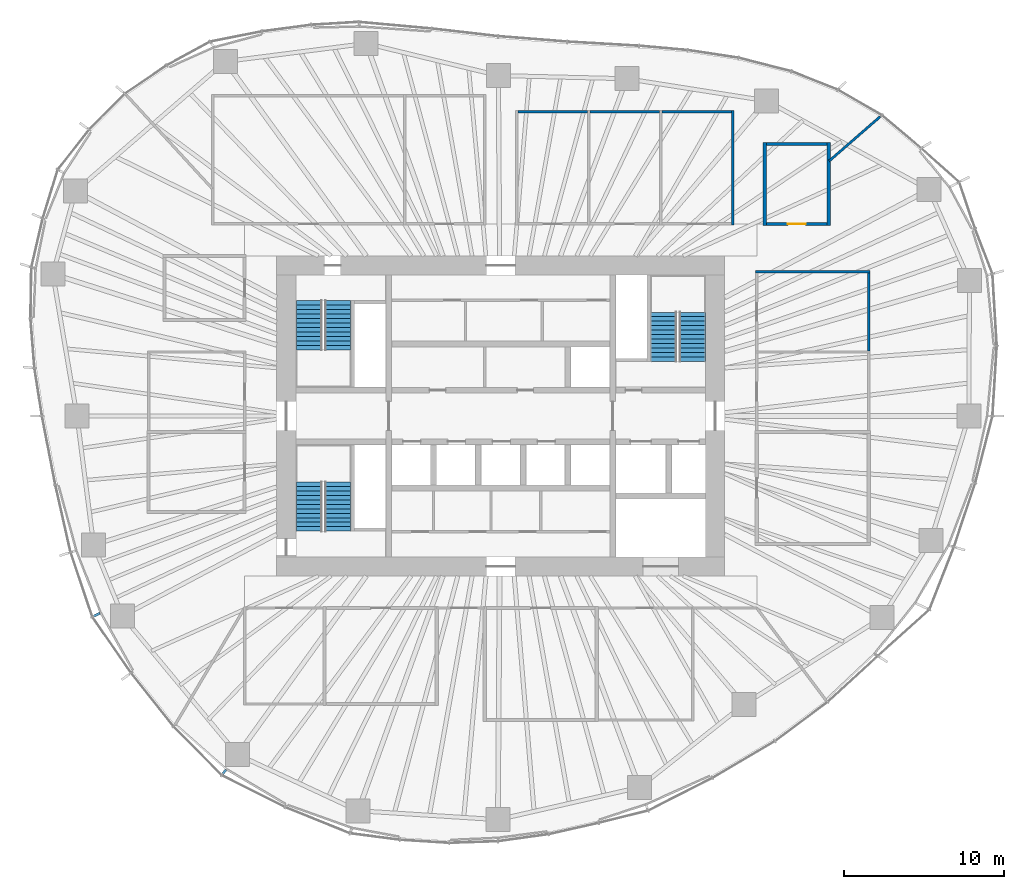
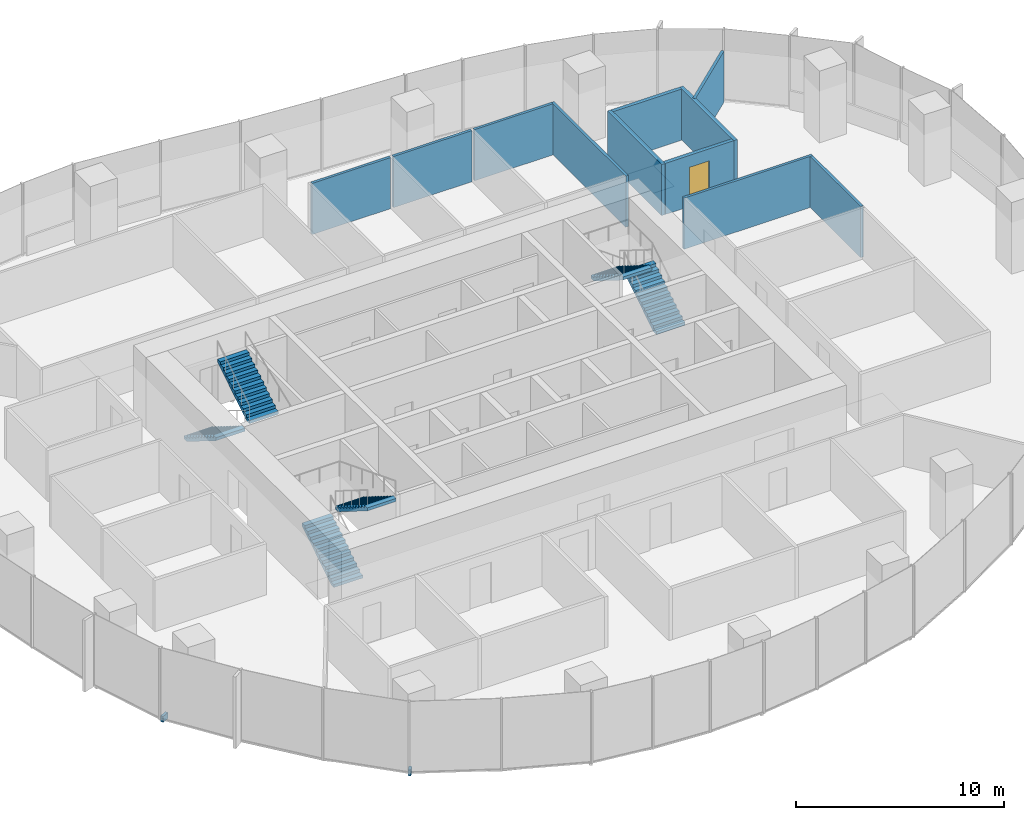
# One storey, part 11 of 18: 11 walls, 6 stair flights, 2 discrete accessories, 1 door, 1 opening, 3 elements without a shape of their own.
"""IFC4 building model written with IfcOpenShell, lengths in metres."""

from ifc_helpers import new_model, si_unit, direction, frame, frame_2d, origin, origin_2d, place, context, subcontext, project, spatial, polyline, rectangle, outline, extrude, material, layer, layer_set, type_object, element, fill, aggregate, save


model = new_model("IFC4")

# Units and contexts
model_context = context("Model", 3, precision=1e-05, world=origin(), true_north=direction((0.0, 1.0)))
body_context = subcontext(model_context, "Body", "Model", "MODEL_VIEW")
ifc_project = project(units=[si_unit("LENGTHUNIT", "METRE"), si_unit("AREAUNIT", "SQUARE_METRE"), si_unit("VOLUMEUNIT", "CUBIC_METRE"), si_unit("PLANEANGLEUNIT", "RADIAN"), si_unit("MASSUNIT", "GRAM", prefix="KILO")], contexts=[model_context])

# Site, building, storey
site_placement = place(None, origin())
site = spatial("IfcSite", under=ifc_project, at=site_placement, CompositionType="ELEMENT")
building_placement = place(site_placement, origin())
building = spatial("IfcBuilding", under=site, at=building_placement, Name="Ghaith Harvest Tower", CompositionType="ELEMENT")
storey_placement = place(building_placement, frame((0.0, 0.0, 117.60009765625)))
storey = spatial("IfcBuildingStorey", under=building, at=storey_placement, Name="L24", CompositionType="ELEMENT", Elevation=117.60009765625)

# Walls
ifc_material_1 = material(Name="Twin-stud gypsum board, acoustic", Category="gypsum")
ifc_layer_1 = layer(ifc_material_1, 0.199951171875)
ifc_layer_set_1 = layer_set([ifc_layer_1], Name="ACOUSTIC PARTITION 200")
wall_type_1 = type_object("IfcWallType", Name="ACOUSTIC PARTITION 200", PredefinedType="PARTITIONING", material=ifc_layer_set_1)
for number, where, z_axis, x_axis, name in (
    (1, (16.5, 11.89990234375, 0.0), (0.0, 0.0, 1.0), (0.0, 1.0, 0.0), "Partition L24 row N7 cross wall 1"),
    (2, (20.5, 11.89990234375, 0.0), (0.0, 0.0, 1.0), (0.0, 1.0, 0.0), "Partition L24 row N7 cross wall 2"),
):
    element("IfcWall", number, at=place(storey_placement, frame(where, z_axis=z_axis, x_axis=x_axis)), inside=storey, type_object=wall_type_1, Name=name, PredefinedType="PARTITIONING", context=body_context, shape_type="SweptSolid", body=[
        extrude(rectangle(XDim=5.2001953125, YDim=0.199951171875, at=frame_2d((2.60009765625, 0.0))), origin(), (0.0, 0.0, 1.0), 3.0),
    ])

# Wall, opening, door
wall_1_placement = place(storey_placement, frame((16.60009765625, 12.0, 0.0), z_axis=(0.0, 0.0, 1.0), x_axis=(1.0, 0.0, 0.0)))
wall_1 = element("IfcWall", 3, at=wall_1_placement, inside=storey, type_object=wall_type_1, Name="Partition L24-15", PredefinedType="PARTITIONING", context=body_context, shape_type="SweptSolid", body=[
    extrude(rectangle(XDim=3.7998046875, YDim=0.199951171875, at=frame_2d((1.89990234375, 0.0))), origin(), (0.0, 0.0, 1.0), 3.0),
])
opening_placement = place(wall_1_placement, frame((1.35009765625, 0.0, 0.0)))
opening = element("IfcOpeningElement", 4, at=opening_placement, cuts=wall_1, Name="Opening 24-040", PredefinedType="OPENING", context=body_context, shape_type="SweptSolid", body=[
    extrude(rectangle(XDim=1.10009765625, YDim=2.300048828125, at=frame_2d((0.550048828125, 1.14990234375))), frame((0.0, 0.10986328125, 0.0), z_axis=(0.0, -1.0, 0.0), x_axis=(1.0, 0.0, 0.0)), (0.0, 0.0, 1.0), 0.219970703125),
])
ifc_material_2 = material(Name="Timber-framed glazed door", Category="wood")
door_type = type_object("IfcDoorType", Name="D12 GLAZED OFFICE 1100x2300", OperationType="SINGLE_SWING_LEFT", PredefinedType="DOOR", material=ifc_material_2)
door_placement = place(opening_placement, origin())
door = element("IfcDoor", 5, at=door_placement, inside=storey, type_object=door_type, Name="Focus room door", OperationType="SINGLE_SWING_LEFT", OverallHeight=2.300048828125, OverallWidth=1.10009765625, PredefinedType="DOOR", context=body_context, shape_type="SweptSolid", body=[
    extrude(rectangle(XDim=1.10009765625, YDim=2.300048828125, at=frame_2d((0.550048828125, 1.14990234375))), frame((0.0, 0.02490234375, 0.0), z_axis=(0.0, -1.0, 0.0), x_axis=(1.0, 0.0, 0.0)), (0.0, 0.0, 1.0), 0.050048828125),
])
fill(opening, door)

# Walls
wall_2_placement = place(storey_placement, frame((16.60009765625, 17.0, 0.0), z_axis=(0.0, 0.0, 1.0), x_axis=(1.0, 0.0, 0.0)))
element("IfcWall", 6, at=wall_2_placement, inside=storey, type_object=wall_type_1, Name="Partition L24-15", PredefinedType="PARTITIONING", context=body_context, shape_type="SweptSolid", body=[
    extrude(rectangle(XDim=3.7998046875, YDim=0.199951171875, at=frame_2d((1.89990234375, 0.0))), origin(), (0.0, 0.0, 1.0), 3.0),
])
ifc_material_3 = material(Name="Gypsum board on steel studs", Category="steel")
ifc_layer_2 = layer(ifc_material_3, 0.14990234375)
ifc_layer_set_2 = layer_set([ifc_layer_2], Name="PARTITION 150")
wall_type_2 = type_object("IfcWallType", Name="PARTITION 150", PredefinedType="PARTITIONING", material=ifc_layer_set_2)
wall_3_placement = place(storey_placement, frame((14.5, 11.925048828125, 0.0), z_axis=(0.0, 0.0, 1.0), x_axis=(0.0, 1.0, 0.0)))
element("IfcWall", 7, at=wall_3_placement, inside=storey, type_object=wall_type_2, Name="Partition L24 row N2 cross wall 4", PredefinedType="PARTITIONING", context=body_context, shape_type="SweptSolid", body=[
    extrude(rectangle(XDim=7.14990234375, YDim=0.14990234375, at=frame_2d((3.574951171875, 0.0))), origin(), (0.0, 0.0, 1.0), 3.0),
])
for number, where, z_axis, x_axis, name in (
    (8, (1.074951171875, 19.0, 0.0), (0.0, 0.0, 1.0), (1.0, 0.0, 0.0), "Partition L24-03"),
    (9, (5.574951171875, 19.0, 0.0), (0.0, 0.0, 1.0), (1.0, 0.0, 0.0), "Partition L24-04"),
    (10, (10.074951171875, 19.0, 0.0), (0.0, 0.0, 1.0), (1.0, 0.0, 0.0), "Partition L24-05"),
):
    element("IfcWall", number, at=place(storey_placement, frame(where, z_axis=z_axis, x_axis=x_axis)), inside=storey, type_object=wall_type_2, Name=name, PredefinedType="PARTITIONING", context=body_context, shape_type="SweptSolid", body=[
        extrude(rectangle(XDim=4.35009765625, YDim=0.14990234375, at=frame_2d((2.175048828125, 0.0))), origin(), (0.0, 0.0, 1.0), 3.0),
    ])
wall_4_placement = place(storey_placement, frame((15.925048828125, 9.0, 0.0), z_axis=(0.0, 0.0, 1.0), x_axis=(1.0, 0.0, 0.0)))
element("IfcWall", 11, at=wall_4_placement, inside=storey, type_object=wall_type_2, Name="Partition L24 row E5 cross wall 4", PredefinedType="PARTITIONING", context=body_context, shape_type="SweptSolid", body=[
    extrude(rectangle(XDim=7.14990234375, YDim=0.14990234375, at=frame_2d((3.574951171875, 0.0))), origin(), (0.0, 0.0, 1.0), 3.0),
])
wall_5_placement = place(storey_placement, frame((23.0, 4.074951171875, 0.0), z_axis=(0.0, 0.0, 1.0), x_axis=(0.0, 1.0, 0.0)))
element("IfcWall", 12, at=wall_5_placement, inside=storey, type_object=wall_type_2, Name="Partition L24-12", PredefinedType="PARTITIONING", context=body_context, shape_type="SweptSolid", body=[
    extrude(rectangle(XDim=4.85009765625, YDim=0.14990234375, at=frame_2d((2.425048828125, 0.0))), origin(), (0.0, 0.0, 1.0), 3.0),
])
wall_6_placement = place(storey_placement, frame((20.52001953125, 15.929443359375, 0.0), z_axis=(0.0, 0.0, 1.0), x_axis=(0.754686299234, 0.656085809745, 0.0)))
element("IfcWall", 13, at=wall_6_placement, inside=storey, type_object=wall_type_2, Name="Partition L24 zone division", PredefinedType="PARTITIONING", context=body_context, shape_type="SweptSolid", body=[
    extrude(rectangle(XDim=4.22900390625, YDim=0.14990234375, at=frame_2d((2.114501953125, 0.0))), origin(), (0.0, 0.0, 1.0), 3.0),
])

# Stair, stair flights
ifc_material_4 = material(Name="Concrete C40/50, precast", Category="concrete")
stair_type = type_object("IfcStairType", Name="CORE STAIR 24R", PredefinedType="HALF_TURN_STAIR", material=ifc_material_4)
stair_1_placement = place(storey_placement, origin())
stair_1 = element("IfcStair", 14, at=stair_1_placement, inside=storey, type_object=stair_type, Name="Stair ST1 L24", PredefinedType="HALF_TURN_STAIR")
ifc_material_5 = material(Name="Concrete C40/50, precast", Category="concrete")
stair_flight_type = type_object("IfcStairFlightType", Name="CORE FLIGHT 12R 1600", PredefinedType="STRAIGHT", material=ifc_material_5)
stair_flight_1_placement = place(storey_placement, frame((-12.0, 7.199951171875, 0.0), z_axis=(0.0, 0.0, 1.0), x_axis=(0.0, -1.0, 0.0)))
stair_flight_1 = element("IfcStairFlight", 15, at=stair_flight_1_placement, type_object=stair_flight_type, Name="ST1 flight 1", NumberOfRisers=12, NumberOfTreads=11, PredefinedType="STRAIGHT", RiserHeight=0.175, TreadLength=0.28, context=body_context, shape_type="SweptSolid", body=[
    extrude(outline(polyline([(0.0, 0.0), (0.0, 0.175048828125), (0.280029296875, 0.175048828125), (0.280029296875, 0.35009765625), (0.56005859375, 0.35009765625), (0.56005859375, 0.52490234375), (0.840087890625, 0.52490234375), (0.840087890625, 0.699951171875), (1.1201171875, 0.699951171875), (1.1201171875, 0.875), (1.39990234375, 0.875), (1.39990234375, 1.050048828125), (1.679931640625, 1.050048828125), (1.679931640625, 1.22509765625), (1.9599609375, 1.22509765625), (1.9599609375, 1.39990234375), (2.239990234375, 1.39990234375), (2.239990234375, 1.574951171875), (2.52001953125, 1.574951171875), (2.52001953125, 1.75), (2.800048828125, 1.75), (2.800048828125, 1.925048828125), (3.080078125, 1.925048828125), (3.080078125, 2.10009765625), (3.080078125, 1.748291015625), (0.28271484375, 0.0), (0.0, 0.0)])), frame((0.0, 0.800048828125, 0.0), z_axis=(0.0, -1.0, 0.0), x_axis=(1.0, 0.0, 0.0)), (0.0, 0.0, 1.0), 1.60009765625),
])
stair_flight_2_placement = place(storey_placement, frame((-10.14990234375, 4.1201171875, 2.099853515625), z_axis=(0.0, 0.0, 1.0), x_axis=(0.0, 1.0, 0.0)))
stair_flight_2 = element("IfcStairFlight", 16, at=stair_flight_2_placement, type_object=stair_flight_type, Name="ST1 flight 2", NumberOfRisers=12, NumberOfTreads=11, PredefinedType="STRAIGHT", RiserHeight=0.175, TreadLength=0.28, context=body_context, shape_type="SweptSolid", body=[
    extrude(outline(polyline([(0.0, 0.0), (0.0, 0.175048828125), (0.280029296875, 0.175048828125), (0.280029296875, 0.35009765625), (0.56005859375, 0.35009765625), (0.56005859375, 0.52490234375), (0.840087890625, 0.52490234375), (0.840087890625, 0.699951171875), (1.1201171875, 0.699951171875), (1.1201171875, 0.875), (1.39990234375, 0.875), (1.39990234375, 1.050048828125), (1.679931640625, 1.050048828125), (1.679931640625, 1.22509765625), (1.9599609375, 1.22509765625), (1.9599609375, 1.39990234375), (2.239990234375, 1.39990234375), (2.239990234375, 1.574951171875), (2.52001953125, 1.574951171875), (2.52001953125, 1.75), (2.800048828125, 1.75), (2.800048828125, 1.925048828125), (3.080078125, 1.925048828125), (3.080078125, 2.10009765625), (3.080078125, 1.748291015625), (0.28271484375, 0.0), (0.0, 0.0)])), frame((0.0, 0.800048828125, 0.0), z_axis=(0.0, -1.0, 0.0), x_axis=(1.0, 0.0, 0.0)), (0.0, 0.0, 1.0), 1.60009765625),
])
aggregate(stair_1, [stair_flight_1, stair_flight_2])

stair_2_placement = place(storey_placement, origin())
stair_2 = element("IfcStair", 17, at=stair_2_placement, inside=storey, type_object=stair_type, Name="Stair ST3 L24", PredefinedType="HALF_TURN_STAIR")
stair_flight_3_placement = place(storey_placement, frame((-12.0, -7.199951171875, 0.0), z_axis=(0.0, 0.0, 1.0), x_axis=(0.0, 1.0, 0.0)))
stair_flight_3 = element("IfcStairFlight", 18, at=stair_flight_3_placement, type_object=stair_flight_type, Name="ST3 flight 1", NumberOfRisers=12, NumberOfTreads=11, PredefinedType="STRAIGHT", RiserHeight=0.175, TreadLength=0.28, context=body_context, shape_type="SweptSolid", body=[
    extrude(outline(polyline([(0.0, 0.0), (0.0, 0.175048828125), (0.280029296875, 0.175048828125), (0.280029296875, 0.35009765625), (0.56005859375, 0.35009765625), (0.56005859375, 0.52490234375), (0.840087890625, 0.52490234375), (0.840087890625, 0.699951171875), (1.1201171875, 0.699951171875), (1.1201171875, 0.875), (1.39990234375, 0.875), (1.39990234375, 1.050048828125), (1.679931640625, 1.050048828125), (1.679931640625, 1.22509765625), (1.9599609375, 1.22509765625), (1.9599609375, 1.39990234375), (2.239990234375, 1.39990234375), (2.239990234375, 1.574951171875), (2.52001953125, 1.574951171875), (2.52001953125, 1.75), (2.800048828125, 1.75), (2.800048828125, 1.925048828125), (3.080078125, 1.925048828125), (3.080078125, 2.10009765625), (3.080078125, 1.748291015625), (0.28271484375, 0.0), (0.0, 0.0)])), frame((0.0, 0.800048828125, 0.0), z_axis=(0.0, -1.0, 0.0), x_axis=(1.0, 0.0, 0.0)), (0.0, 0.0, 1.0), 1.60009765625),
])
stair_flight_4_placement = place(storey_placement, frame((-10.14990234375, -4.1201171875, 2.099853515625), z_axis=(0.0, 0.0, 1.0), x_axis=(0.0, -1.0, 0.0)))
stair_flight_4 = element("IfcStairFlight", 19, at=stair_flight_4_placement, type_object=stair_flight_type, Name="ST3 flight 2", NumberOfRisers=12, NumberOfTreads=11, PredefinedType="STRAIGHT", RiserHeight=0.175, TreadLength=0.28, context=body_context, shape_type="SweptSolid", body=[
    extrude(outline(polyline([(0.0, 0.0), (0.0, 0.175048828125), (0.280029296875, 0.175048828125), (0.280029296875, 0.35009765625), (0.56005859375, 0.35009765625), (0.56005859375, 0.52490234375), (0.840087890625, 0.52490234375), (0.840087890625, 0.699951171875), (1.1201171875, 0.699951171875), (1.1201171875, 0.875), (1.39990234375, 0.875), (1.39990234375, 1.050048828125), (1.679931640625, 1.050048828125), (1.679931640625, 1.22509765625), (1.9599609375, 1.22509765625), (1.9599609375, 1.39990234375), (2.239990234375, 1.39990234375), (2.239990234375, 1.574951171875), (2.52001953125, 1.574951171875), (2.52001953125, 1.75), (2.800048828125, 1.75), (2.800048828125, 1.925048828125), (3.080078125, 1.925048828125), (3.080078125, 2.10009765625), (3.080078125, 1.748291015625), (0.28271484375, 0.0), (0.0, 0.0)])), frame((0.0, 0.800048828125, 0.0), z_axis=(0.0, -1.0, 0.0), x_axis=(1.0, 0.0, 0.0)), (0.0, 0.0, 1.0), 1.60009765625),
])
aggregate(stair_2, [stair_flight_3, stair_flight_4])

stair_3_placement = place(storey_placement, origin())
stair_3 = element("IfcStair", 20, at=stair_3_placement, inside=storey, type_object=stair_type, Name="Stair ST2 L24", PredefinedType="HALF_TURN_STAIR")
stair_flight_5_placement = place(storey_placement, frame((12.0, 3.39990234375, 0.0), z_axis=(0.0, 0.0, 1.0), x_axis=(0.0, 1.0, 0.0)))
stair_flight_5 = element("IfcStairFlight", 21, at=stair_flight_5_placement, type_object=stair_flight_type, Name="ST2 flight 1", NumberOfRisers=12, NumberOfTreads=11, PredefinedType="STRAIGHT", RiserHeight=0.175, TreadLength=0.28, context=body_context, shape_type="SweptSolid", body=[
    extrude(outline(polyline([(0.0, 0.0), (0.0, 0.175048828125), (0.280029296875, 0.175048828125), (0.280029296875, 0.35009765625), (0.56005859375, 0.35009765625), (0.56005859375, 0.52490234375), (0.840087890625, 0.52490234375), (0.840087890625, 0.699951171875), (1.1201171875, 0.699951171875), (1.1201171875, 0.875), (1.39990234375, 0.875), (1.39990234375, 1.050048828125), (1.679931640625, 1.050048828125), (1.679931640625, 1.22509765625), (1.9599609375, 1.22509765625), (1.9599609375, 1.39990234375), (2.239990234375, 1.39990234375), (2.239990234375, 1.574951171875), (2.52001953125, 1.574951171875), (2.52001953125, 1.75), (2.800048828125, 1.75), (2.800048828125, 1.925048828125), (3.080078125, 1.925048828125), (3.080078125, 2.10009765625), (3.080078125, 1.748291015625), (0.28271484375, 0.0), (0.0, 0.0)])), frame((0.0, 0.800048828125, 0.0), z_axis=(0.0, -1.0, 0.0), x_axis=(1.0, 0.0, 0.0)), (0.0, 0.0, 1.0), 1.60009765625),
])
stair_flight_6_placement = place(storey_placement, frame((10.14990234375, 6.47998046875, 2.099853515625), z_axis=(0.0, 0.0, 1.0), x_axis=(0.0, -1.0, 0.0)))
stair_flight_6 = element("IfcStairFlight", 22, at=stair_flight_6_placement, type_object=stair_flight_type, Name="ST2 flight 2", NumberOfRisers=12, NumberOfTreads=11, PredefinedType="STRAIGHT", RiserHeight=0.175, TreadLength=0.28, context=body_context, shape_type="SweptSolid", body=[
    extrude(outline(polyline([(0.0, 0.0), (0.0, 0.175048828125), (0.280029296875, 0.175048828125), (0.280029296875, 0.35009765625), (0.56005859375, 0.35009765625), (0.56005859375, 0.52490234375), (0.840087890625, 0.52490234375), (0.840087890625, 0.699951171875), (1.1201171875, 0.699951171875), (1.1201171875, 0.875), (1.39990234375, 0.875), (1.39990234375, 1.050048828125), (1.679931640625, 1.050048828125), (1.679931640625, 1.22509765625), (1.9599609375, 1.22509765625), (1.9599609375, 1.39990234375), (2.239990234375, 1.39990234375), (2.239990234375, 1.574951171875), (2.52001953125, 1.574951171875), (2.52001953125, 1.75), (2.800048828125, 1.75), (2.800048828125, 1.925048828125), (3.080078125, 1.925048828125), (3.080078125, 2.10009765625), (3.080078125, 1.748291015625), (0.28271484375, 0.0), (0.0, 0.0)])), frame((0.0, 0.800048828125, 0.0), z_axis=(0.0, -1.0, 0.0), x_axis=(1.0, 0.0, 0.0)), (0.0, 0.0, 1.0), 1.60009765625),
])
aggregate(stair_3, [stair_flight_5, stair_flight_6])

# Discrete accessories
ifc_material_6 = material(Name="Stainless steel grade 1.4401", Category="steel")
discrete_accessory_type_1 = type_object("IfcDiscreteAccessoryType", Name="CURTAIN WALL BRACKET 315", PredefinedType="BRACKET", material=ifc_material_6)
discrete_accessory_1_placement = place(storey_placement, frame((-17.266357421875, -22.232421875, -0.250244140625), z_axis=(0.0, 0.0, 1.0), x_axis=(-0.613377713774, -0.789789706343, 0.0)))
element("IfcDiscreteAccessory", 23, at=discrete_accessory_1_placement, inside=storey, type_object=discrete_accessory_type_1, Name="CW-L bracket 1 bay 14 L24", PredefinedType="BRACKET", context=body_context, shape_type="SweptSolid", body=[
    extrude(rectangle(XDim=0.31494140625, YDim=0.14990234375, at=origin_2d()), origin(), (0.0, 0.0, 1.0), 0.35009765625),
])
ifc_material_7 = material(Name="Stainless steel grade 1.4401", Category="steel")
discrete_accessory_type_2 = type_object("IfcDiscreteAccessoryType", Name="CURTAIN WALL BRACKET 415", PredefinedType="BRACKET", material=ifc_material_7)
discrete_accessory_2_placement = place(storey_placement, frame((-25.228515625, -12.41796875, -0.250244140625), z_axis=(0.0, 0.0, 1.0), x_axis=(-0.897201221415, -0.441621974421, 0.0)))
element("IfcDiscreteAccessory", 24, at=discrete_accessory_2_placement, inside=storey, type_object=discrete_accessory_type_2, Name="CW-L bracket 2 bay 12 L24", PredefinedType="BRACKET", context=body_context, shape_type="SweptSolid", body=[
    extrude(rectangle(XDim=0.4150390625, YDim=0.14990234375, at=origin_2d()), origin(), (0.0, 0.0, 1.0), 0.35009765625),
])

save(model, "model.ifc")
